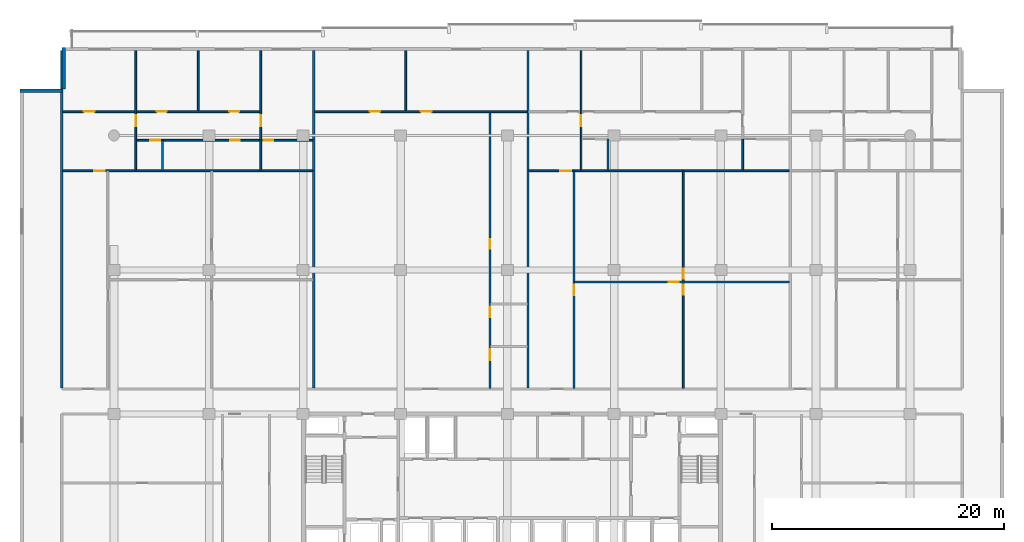
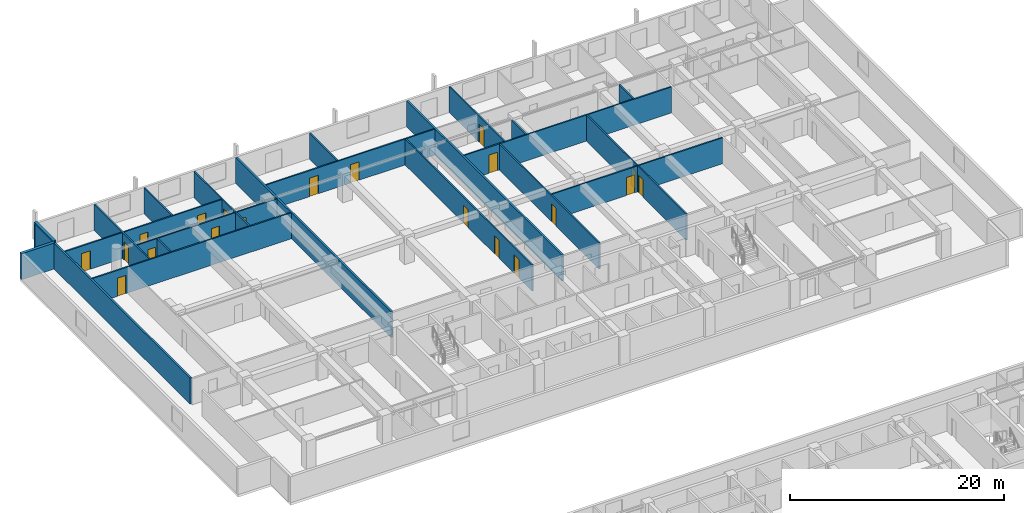
# One storey, part 14 of 23: 23 walls, 20 doors, 20 openings.
"""IFC4 building model written with IfcOpenShell, lengths in metres."""

import ifcopenshell
import ifcopenshell.guid

model = None  # the IFC model being written
_history = None  # IfcOwnerHistory: only IFC2X3 demands one
_inside = {}  # id of a spatial element -> (the spatial element, [elements in it])
_under = {}  # id of a project, library or spatial element -> (it, [spatial elements below it])
_declared = {}  # id of a project -> (the project, [libraries it declares])
_typed = {}  # id of a type object -> (the type object, [elements of that type])
_made_of = {}  # id of a material, layer set ... -> (it, [elements and type objects made of it])


def new_model(schema):
    """Start an empty IFC model of exactly this schema.

    Asked for "IFC4X3", IfcOpenShell would pick the latest addendum, in which some entities
    have other attributes; the version numbers below select the first issue.
    IFC2X3 requires an IfcOwnerHistory on every rooted entity: one is made here for all.
    """
    global model, _history
    if schema == "IFC4X3":
        model = ifcopenshell.file(schema_version=(4, 3, 0, 0))
    else:
        model = ifcopenshell.file(schema=schema)
    _inside.clear()
    _under.clear()
    _declared.clear()
    _typed.clear()
    _made_of.clear()
    _history = None
    if model.schema == "IFC2X3":
        org = make("IfcOrganization", Name="unknown")
        user = make(
            "IfcPersonAndOrganization",
            ThePerson=make("IfcPerson", FamilyName="unknown"),
            TheOrganization=org,
        )
        app = make(
            "IfcApplication",
            ApplicationDeveloper=org,
            Version="unknown",
            ApplicationFullName="unknown",
            ApplicationIdentifier="unknown",
        )
        _history = make(
            "IfcOwnerHistory",
            OwningUser=user,
            OwningApplication=app,
            ChangeAction="ADDED",
            CreationDate=0,
        )
    return model


def make(cls, **values):
    """One entity of the class cls with the attributes given. An attribute that is None is left unset."""
    return model.create_entity(
        cls, **{name: value for name, value in values.items() if value is not None}
    )


def rooted(cls, **values):
    """An entity with a GlobalId (a new one), such as an element, a storey or a relation."""
    return make(cls, GlobalId=ifcopenshell.guid.new(), OwnerHistory=_history, **values)


def si_unit(unit_type, name, prefix=None):
    """IfcSIUnit, for example si_unit("LENGTHUNIT", "METRE", prefix="MILLI")."""
    return make("IfcSIUnit", UnitType=unit_type, Prefix=prefix, Name=name)


def assignment(units):
    """IfcUnitAssignment: the units of a project."""
    return None if units is None else make("IfcUnitAssignment", Units=units)


def point(xyz):
    """IfcCartesianPoint."""
    return None if xyz is None else make("IfcCartesianPoint", Coordinates=xyz)


def direction(xyz):
    """IfcDirection."""
    return None if xyz is None else make("IfcDirection", DirectionRatios=xyz)


def frame(location, z_axis=None, x_axis=None):
    """IfcAxis2Placement3D, a coordinate frame: its origin and axes. An axis left out is left unset."""
    return make(
        "IfcAxis2Placement3D",
        Location=point(location),
        Axis=direction(z_axis),
        RefDirection=direction(x_axis),
    )


def frame_2d(location, x_axis=None):
    """IfcAxis2Placement2D, a coordinate frame in the plane: its origin and x axis."""
    return make(
        "IfcAxis2Placement2D", Location=point(location), RefDirection=direction(x_axis)
    )


def origin():
    """The frame at (0, 0, 0) with its axes left unset."""
    return frame((0.0, 0.0, 0.0))


def place(relative_to, where):
    """IfcLocalPlacement: puts the frame where relative to a parent placement (None: the world)."""
    return make(
        "IfcLocalPlacement", PlacementRelTo=relative_to, RelativePlacement=where
    )


def context(
    kind, dimensions, precision=None, world=None, true_north=None, identifier=None
):
    """IfcGeometricRepresentationContext, for example the 3D "Model" context."""
    return make(
        "IfcGeometricRepresentationContext",
        ContextIdentifier=identifier,
        ContextType=kind,
        CoordinateSpaceDimension=dimensions,
        Precision=precision,
        WorldCoordinateSystem=world,
        TrueNorth=true_north,
    )


def subcontext(parent, identifier, kind, view, scale=None):
    """IfcGeometricRepresentationSubContext, for example "Body" below "Model"."""
    return make(
        "IfcGeometricRepresentationSubContext",
        ContextIdentifier=identifier,
        ContextType=kind,
        ParentContext=parent,
        TargetScale=scale,
        TargetView=view,
    )


def project(units=None, contexts=None):
    """IfcProject with its units and contexts."""
    return rooted(
        "IfcProject",
        Name="project",
        RepresentationContexts=contexts,
        UnitsInContext=assignment(units),
    )


def spatial(cls, under=None, at=None, **own):
    """A site, building, storey or space (cls), placed at a placement, below another one or the project."""
    s = rooted(cls, ObjectPlacement=at, **own)
    if under is not None:
        _under.setdefault(under.id(), (under, []))[1].append(s)
    return s


def profile(cls, at=None, kind="AREA", **sizes):
    """A parametric profile (cls). Its sizes go by their IFC names, for example OverallWidth=200.0."""
    return make(cls, ProfileType=kind, Position=at, **sizes)


def rectangle(**sizes):
    """IfcRectangleProfileDef."""
    return profile("IfcRectangleProfileDef", **sizes)


def extrude(swept, where, along, depth):
    """IfcExtrudedAreaSolid: the profile swept, set in the frame where, extruded along a direction by depth."""
    return make(
        "IfcExtrudedAreaSolid",
        SweptArea=swept,
        Position=where,
        ExtrudedDirection=direction(along),
        Depth=depth,
    )


def shape(context_of_items, identifier, shape_type, items):
    """IfcShapeRepresentation: the items that make up one representation, for example the "Body"."""
    return make(
        "IfcShapeRepresentation",
        ContextOfItems=context_of_items,
        RepresentationIdentifier=identifier,
        RepresentationType=shape_type,
        Items=items,
    )


def material(Name=None, Category=None):
    """IfcMaterial."""
    return make("IfcMaterial", Name=Name, Category=Category)


def layer(
    of_material, thickness, ventilated=None, Name=None, Category=None, Priority=None
):
    """IfcMaterialLayer: one layer of a wall or slab, of a material (None: an air gap)."""
    return make(
        "IfcMaterialLayer",
        Material=of_material,
        LayerThickness=thickness,
        IsVentilated=ventilated,
        Name=Name,
        Category=Category,
        Priority=Priority,
    )


def layer_set(layers, Name=None):
    """IfcMaterialLayerSet."""
    return make("IfcMaterialLayerSet", MaterialLayers=layers, LayerSetName=Name)


def made_of(thing, what):
    """Note that an element or type object is made of a material, layer set ...; save() writes the relation."""
    if what is not None:
        _made_of.setdefault(what.id(), (what, []))[1].append(thing)
    return thing


def type_object(cls, material=None, **own):
    """A type object (cls), such as IfcWallType, which elements share."""
    return made_of(rooted(cls, **own), material)


def element(
    cls,
    number,
    at=None,
    inside=None,
    cuts=None,
    type_object=None,
    material=None,
    context=None,
    identifier="Body",
    shape_type=None,
    held_by="IfcProductDefinitionShape",
    body=None,
    shapes=None,
    **own,
):
    """One element of the class cls, such as IfcWall. Its Tag is "e" and its number.

    at: its placement. inside: the storey or other place that contains it. cuts: it is an
    opening in that element (IfcRelVoidsElement). A single representation is given by context,
    identifier, shape_type and body (its items); several are given by shapes. held_by: the class
    of the entity that holds the representations. save() writes the other relations.
    """
    e = rooted(cls, Tag="e%d" % number, ObjectPlacement=at, **own)
    if body is not None:
        shapes = [shape(context, identifier, shape_type, body)]
    if shapes is not None:
        e.Representation = make(held_by, Representations=shapes)
    if inside is not None:
        _inside.setdefault(inside.id(), (inside, []))[1].append(e)
    if cuts is not None:
        rooted(
            "IfcRelVoidsElement", RelatingBuildingElement=cuts, RelatedOpeningElement=e
        )
    if type_object is not None:
        _typed.setdefault(type_object.id(), (type_object, []))[1].append(e)
    return made_of(e, material)


def fill(opening, filler):
    """IfcRelFillsElement: the door or window that sits in an opening."""
    return rooted(
        "IfcRelFillsElement",
        RelatingOpeningElement=opening,
        RelatedBuildingElement=filler,
    )


def aggregate(whole, parts):
    """IfcRelAggregates: a whole, such as a stair, and the parts it consists of."""
    return rooted("IfcRelAggregates", RelatingObject=whole, RelatedObjects=parts)


def save(model, path):
    """Write the relations noted so far, then the file.

    IfcRelAggregates (storeys below a building ...), IfcRelContainedInSpatialStructure (elements
    in a storey), IfcRelDefinesByType, IfcRelAssociatesMaterial and IfcRelDeclares: one each for
    every whole, place, type object, material and project.
    """
    for whole, parts in _under.values():
        aggregate(whole, parts)
    for where, things in _inside.values():
        rooted(
            "IfcRelContainedInSpatialStructure",
            RelatedElements=things,
            RelatingStructure=where,
        )
    for kind, things in _typed.values():
        rooted("IfcRelDefinesByType", RelatedObjects=things, RelatingType=kind)
    for what, things in _made_of.values():
        rooted("IfcRelAssociatesMaterial", RelatedObjects=things, RelatingMaterial=what)
    for by, libraries in _declared.values():
        rooted("IfcRelDeclares", RelatingContext=by, RelatedDefinitions=libraries)
    model.write(path)


model = new_model("IFC4")

# Units and contexts
model_context = context("Model", 3, precision=1e-05, world=origin(), true_north=direction((0.0, 1.0)))
body_context = subcontext(model_context, "Body", "Model", "MODEL_VIEW")
ifc_project = project(units=[si_unit("LENGTHUNIT", "METRE"), si_unit("AREAUNIT", "SQUARE_METRE"), si_unit("VOLUMEUNIT", "CUBIC_METRE"), si_unit("PLANEANGLEUNIT", "RADIAN"), si_unit("MASSUNIT", "GRAM", prefix="KILO")], contexts=[model_context])

# Site, building, storey
site_placement = place(None, origin())
site = spatial("IfcSite", under=ifc_project, at=site_placement, CompositionType="ELEMENT")
building_placement = place(site_placement, origin())
building = spatial("IfcBuilding", under=site, at=building_placement, Name="Korimba Cascade Residences", CompositionType="ELEMENT")
storey_placement = place(building_placement, frame((0.0, 0.0, 56.5)))
storey = spatial("IfcBuildingStorey", under=building, at=storey_placement, Name="L15", CompositionType="ELEMENT", Elevation=56.5)

# Walls
ifc_material_1 = material(Name="Precast concrete C40/50", Category="concrete")
ifc_layer_1 = layer(ifc_material_1, 0.300048828125)
ifc_layer_set_1 = layer_set([ifc_layer_1], Name="Precast concrete C40/50")
wall_type_1 = type_object("IfcWallType", Name="EW-STONE-300", PredefinedType="STANDARD", material=ifc_layer_set_1)
for number, where, z_axis, x_axis, name in (
    (1, (55.449951171875, 98.800048828125, 0.0), (0.0, 0.0, 1.0), (0.0, -1.0, 0.0), "L15 T1 Perimeter Stone Wall E07"),
    (2, (55.300048828125, 95.050048828125, 0.0), (0.0, 0.0, 1.0), (-1.0, 0.0, 0.0), "L15 T1 Perimeter Stone Wall E08"),
):
    element("IfcWall", number, at=place(storey_placement, frame(where, z_axis=z_axis, x_axis=x_axis)), inside=storey, type_object=wall_type_1, Name=name, PredefinedType="STANDARD", context=body_context, shape_type="SweptSolid", body=[
        extrude(rectangle(XDim=3.60009765625, YDim=0.300048828125, at=frame_2d((1.800048828125, 0.0))), origin(), (0.0, 0.0, 1.0), 2.969970703125),
    ])
ifc_layer_2 = layer(ifc_material_1, 0.199951171875)
ifc_layer_set_2 = layer_set([ifc_layer_2], Name="Precast concrete C40/50")
wall_type_2 = type_object("IfcWallType", Name="WAL-IT-200", PredefinedType="PARTITIONING", material=ifc_layer_set_2)
for number, where, z_axis, x_axis, name in (
    (3, (55.300048828125, 69.429931640625, 0.0), (0.0, 0.0, 1.0), (0.0, 1.0, 0.0), "L15 Partition Wall WAL-L15-T1-BNDWL"),
    (4, (77.00341796875, 69.429931640625, 0.0), (0.0, 0.0, 1.0), (0.0, 1.0, 0.0), "L15 Partition Wall WAL-L15-T1-DEM-1"),
    (5, (95.477294921875, 69.429931640625, 0.0), (0.0, 0.0, 1.0), (0.0, 1.0, 0.0), "L15 Partition Wall WAL-L15-T1-DEM-2"),
):
    element("IfcWall", number, at=place(storey_placement, frame(where, z_axis=z_axis, x_axis=x_axis)), inside=storey, type_object=wall_type_2, Name=name, PredefinedType="PARTITIONING", context=body_context, shape_type="SweptSolid", body=[
        extrude(rectangle(XDim=29.070068359375, YDim=0.199951171875, at=frame_2d((14.53515625, 0.0))), origin(), (0.0, 0.0, 1.0), 2.969970703125),
    ])
ifc_material_2 = material(Name="Insulated Acoustic Stud Partition", Category="gypsum")
ifc_layer_3 = layer(ifc_material_2, 0.14990234375)
ifc_layer_set_3 = layer_set([ifc_layer_3], Name="Insulated Acoustic Stud Partition")
wall_type_3 = type_object("IfcWallType", Name="WAL-PART-150", PredefinedType="PARTITIONING", material=ifc_layer_set_3)
wall_1_placement = place(storey_placement, frame((63.989990234375, 88.18994140625, 0.0), z_axis=(0.0, 0.0, 1.0), x_axis=(0.0, 1.0, 0.0)))
element("IfcWall", 6, at=wall_1_placement, inside=storey, type_object=wall_type_3, Name="L15 Partition Wall WAL-L15-T1-U01-VDRS", PredefinedType="PARTITIONING", context=body_context, shape_type="SweptSolid", body=[
    extrude(rectangle(XDim=2.580078125, YDim=0.14990234375, at=frame_2d((1.2900390625, 0.0))), origin(), (0.0, 0.0, 1.0), 2.969970703125),
])
wall_2_placement = place(storey_placement, frame((67.066650390625, 93.330078125, 0.0), z_axis=(0.0, 0.0, 1.0), x_axis=(0.0, 1.0, 0.0)))
element("IfcWall", 7, at=wall_2_placement, inside=storey, type_object=wall_type_3, Name="L15 Partition Wall WAL-L15-T1-U01-VB3", PredefinedType="PARTITIONING", context=body_context, shape_type="SweptSolid", body=[
    extrude(rectangle(XDim=5.169921875, YDim=0.14990234375, at=frame_2d((2.5849609375, 0.0))), origin(), (0.0, 0.0, 1.0), 2.969970703125),
])

# Wall, opening, door
wall_3_placement = place(storey_placement, frame((61.679931640625, 88.18994140625, 0.0), z_axis=(0.0, 0.0, 1.0), x_axis=(0.0, 1.0, 0.0)))
wall_3 = element("IfcWall", 8, at=wall_3_placement, inside=storey, type_object=wall_type_3, Name="L15 Partition Wall WAL-L15-T1-U01-V1", PredefinedType="PARTITIONING", context=body_context, shape_type="SweptSolid", body=[
    extrude(rectangle(XDim=10.31005859375, YDim=0.14990234375, at=frame_2d((5.155029296875, 0.0))), origin(), (0.0, 0.0, 1.0), 2.969970703125),
])
opening_1_placement = place(wall_3_placement, frame((3.820068359375, 0.0, 0.0)))
opening_1 = element("IfcOpeningElement", 9, at=opening_1_placement, cuts=wall_3, Name="Opening D-IN1", PredefinedType="OPENING", context=body_context, shape_type="SweptSolid", body=[
    extrude(rectangle(XDim=0.919921875, YDim=2.080078125, at=frame_2d((0.4599609375, 1.0400390625))), frame((0.0, 0.0849609375, 0.0), z_axis=(0.0, -1.0, 0.0), x_axis=(1.0, 0.0, 0.0)), (0.0, 0.0, 1.0), 0.169921875),
])
ifc_material_3 = material(Name="Acoustic Timber Living Door", Category="wood")
door_type_1 = type_object("IfcDoorType", Name="DR-INT-920", OperationType="NOTDEFINED", PredefinedType="DOOR", material=ifc_material_3)
door_1_placement = place(opening_1_placement, origin())
door_1 = element("IfcDoor", 10, at=door_1_placement, inside=storey, type_object=door_type_1, Name="L15-T1-U01 Hallway Door", OperationType="SINGLE_SWING_RIGHT", OverallHeight=2.080078125, OverallWidth=0.919921875, PredefinedType="DOOR", context=body_context, shape_type="SweptSolid", body=[
    extrude(rectangle(XDim=0.919921875, YDim=2.080078125, at=frame_2d((0.4599609375, 1.0400390625))), frame((0.0, 0.02490234375, 0.0), z_axis=(0.0, -1.0, 0.0), x_axis=(1.0, 0.0, 0.0)), (0.0, 0.0, 1.0), 0.050048828125),
])
fill(opening_1, door_1)

# Wall
wall_4_placement = place(storey_placement, frame((72.45361328125, 88.18994140625, 0.0), z_axis=(0.0, 0.0, 1.0), x_axis=(0.0, 1.0, 0.0)))
element("IfcWall", 11, at=wall_4_placement, inside=storey, type_object=wall_type_3, Name="L15 Partition Wall WAL-L15-T1-U01-VBATH", PredefinedType="PARTITIONING", context=body_context, shape_type="SweptSolid", body=[
    extrude(rectangle(XDim=2.580078125, YDim=0.14990234375, at=frame_2d((1.2900390625, 0.0))), origin(), (0.0, 0.0, 1.0), 2.969970703125),
])

# Wall, opening, door
wall_5_placement = place(storey_placement, frame((72.45361328125, 90.81005859375, 0.0), z_axis=(0.0, 0.0, 1.0), x_axis=(0.0, 1.0, 0.0)))
wall_5 = element("IfcWall", 12, at=wall_5_placement, inside=storey, type_object=wall_type_3, Name="L15 Partition Wall WAL-L15-T1-U01-V2FULL", PredefinedType="PARTITIONING", context=body_context, shape_type="SweptSolid", body=[
    extrude(rectangle(XDim=7.68994140625, YDim=0.14990234375, at=frame_2d((3.844970703125, 0.0))), origin(), (0.0, 0.0, 1.0), 2.969970703125),
])
opening_2_placement = place(wall_5_placement, frame((1.199951171875, 0.0, 0.0)))
opening_2 = element("IfcOpeningElement", 13, at=opening_2_placement, cuts=wall_5, Name="Opening D-IN1", PredefinedType="OPENING", context=body_context, shape_type="SweptSolid", body=[
    extrude(rectangle(XDim=0.919921875, YDim=2.080078125, at=frame_2d((0.4599609375, 1.0400390625))), frame((0.0, 0.0849609375, 0.0), z_axis=(0.0, -1.0, 0.0), x_axis=(1.0, 0.0, 0.0)), (0.0, 0.0, 1.0), 0.169921875),
])
door_2_placement = place(opening_2_placement, origin())
door_2 = element("IfcDoor", 14, at=door_2_placement, inside=storey, type_object=door_type_1, Name="L15-T1-U01 Master Bedroom Door", OperationType="SINGLE_SWING_LEFT", OverallHeight=2.080078125, OverallWidth=0.919921875, PredefinedType="DOOR", context=body_context, shape_type="SweptSolid", body=[
    extrude(rectangle(XDim=0.919921875, YDim=2.080078125, at=frame_2d((0.4599609375, 1.0400390625))), frame((0.0, 0.02490234375, 0.0), z_axis=(0.0, -1.0, 0.0), x_axis=(1.0, 0.0, 0.0)), (0.0, 0.0, 1.0), 0.050048828125),
])
fill(opening_2, door_2)

# Wall, openings, doors
wall_6_placement = place(storey_placement, frame((61.719970703125, 90.7900390625, 0.0), z_axis=(0.0, 0.0, 1.0), x_axis=(1.0, 0.0, 0.0)))
wall_6 = element("IfcWall", 15, at=wall_6_placement, inside=storey, type_object=wall_type_3, Name="L15 Partition Wall WAL-L15-T1-U01-HWALL", PredefinedType="PARTITIONING", context=body_context, shape_type="SweptSolid", body=[
    extrude(rectangle(XDim=15.20361328125, YDim=0.14990234375, at=frame_2d((7.601806640625, 0.0))), origin(), (0.0, 0.0, 1.0), 2.969970703125),
])
opening_3_placement = place(wall_6_placement, frame((1.2099609375, 0.0, 0.0)))
opening_3 = element("IfcOpeningElement", 16, at=opening_3_placement, cuts=wall_6, Name="Opening D-BT1", PredefinedType="OPENING", context=body_context, shape_type="SweptSolid", body=[
    extrude(rectangle(XDim=0.840087890625, YDim=2.0400390625, at=frame_2d((0.419921875, 1.02001953125))), frame((0.0, 0.0849609375, 0.0), z_axis=(0.0, -1.0, 0.0), x_axis=(1.0, 0.0, 0.0)), (0.0, 0.0, 1.0), 0.169921875),
])
opening_4_placement = place(wall_6_placement, frame((8.093017578125, 0.0, 0.0)))
opening_4 = element("IfcOpeningElement", 17, at=opening_4_placement, cuts=wall_6, Name="Opening D-BT1", PredefinedType="OPENING", context=body_context, shape_type="SweptSolid", body=[
    extrude(rectangle(XDim=0.840087890625, YDim=2.0400390625, at=frame_2d((0.419921875, 1.02001953125))), frame((0.0, 0.0849609375, 0.0), z_axis=(0.0, -1.0, 0.0), x_axis=(1.0, 0.0, 0.0)), (0.0, 0.0, 1.0), 0.169921875),
])
opening_5_placement = place(wall_6_placement, frame((10.9833984375, 0.0, 0.0)))
opening_5 = element("IfcOpeningElement", 18, at=opening_5_placement, cuts=wall_6, Name="Opening D-BT1", PredefinedType="OPENING", context=body_context, shape_type="SweptSolid", body=[
    extrude(rectangle(XDim=0.840087890625, YDim=2.0400390625, at=frame_2d((0.419921875, 1.02001953125))), frame((0.0, 0.0849609375, 0.0), z_axis=(0.0, -1.0, 0.0), x_axis=(1.0, 0.0, 0.0)), (0.0, 0.0, 1.0), 0.169921875),
])
ifc_material_4 = material(Name="Moisture-Resistant Bathroom Timber Door", Category="wood")
door_type_2 = type_object("IfcDoorType", Name="DR-INT-850", OperationType="NOTDEFINED", PredefinedType="DOOR", material=ifc_material_4)
door_3_placement = place(opening_3_placement, origin())
door_3 = element("IfcDoor", 19, at=door_3_placement, inside=storey, type_object=door_type_2, Name="L15-T1-U01 Family Bathroom Door", OperationType="SINGLE_SWING_RIGHT", OverallHeight=2.0400390625, OverallWidth=0.840087890625, PredefinedType="DOOR", context=body_context, shape_type="SweptSolid", body=[
    extrude(rectangle(XDim=0.840087890625, YDim=2.0400390625, at=frame_2d((0.419921875, 1.02001953125))), frame((0.0, 0.02490234375, 0.0), z_axis=(0.0, -1.0, 0.0), x_axis=(1.0, 0.0, 0.0)), (0.0, 0.0, 1.0), 0.050048828125),
])
fill(opening_3, door_3)
door_4_placement = place(opening_4_placement, origin())
door_4 = element("IfcDoor", 20, at=door_4_placement, inside=storey, type_object=door_type_2, Name="L15-T1-U01 Dressing Room Door", OperationType="SINGLE_SWING_LEFT", OverallHeight=2.0400390625, OverallWidth=0.840087890625, PredefinedType="DOOR", context=body_context, shape_type="SweptSolid", body=[
    extrude(rectangle(XDim=0.840087890625, YDim=2.0400390625, at=frame_2d((0.419921875, 1.02001953125))), frame((0.0, 0.02490234375, 0.0), z_axis=(0.0, -1.0, 0.0), x_axis=(1.0, 0.0, 0.0)), (0.0, 0.0, 1.0), 0.050048828125),
])
fill(opening_4, door_4)
door_5_placement = place(opening_5_placement, origin())
door_5 = element("IfcDoor", 21, at=door_5_placement, inside=storey, type_object=door_type_2, Name="L15-T1-U01 En-Suite Door", OperationType="SINGLE_SWING_RIGHT", OverallHeight=2.0400390625, OverallWidth=0.840087890625, PredefinedType="DOOR", context=body_context, shape_type="SweptSolid", body=[
    extrude(rectangle(XDim=0.840087890625, YDim=2.0400390625, at=frame_2d((0.419921875, 1.02001953125))), frame((0.0, 0.02490234375, 0.0), z_axis=(0.0, -1.0, 0.0), x_axis=(1.0, 0.0, 0.0)), (0.0, 0.0, 1.0), 0.050048828125),
])
fill(opening_5, door_5)

# Wall, opening, door
wall_7_placement = place(storey_placement, frame((55.3798828125, 88.14990234375, 0.0), z_axis=(0.0, 0.0, 1.0), x_axis=(1.0, 0.0, 0.0)))
wall_7 = element("IfcWall", 22, at=wall_7_placement, inside=storey, type_object=wall_type_3, Name="L15 Partition Wall WAL-L15-T1-U01-MW", PredefinedType="PARTITIONING", context=body_context, shape_type="SweptSolid", body=[
    extrude(rectangle(XDim=21.543701171875, YDim=0.14990234375, at=frame_2d((10.77197265625, 0.0))), origin(), (0.0, 0.0, 1.0), 2.969970703125),
])
opening_6_placement = place(wall_7_placement, frame((2.719970703125, 0.0, 0.0)))
opening_6 = element("IfcOpeningElement", 23, at=opening_6_placement, cuts=wall_7, Name="Opening D-IN1", PredefinedType="OPENING", context=body_context, shape_type="SweptSolid", body=[
    extrude(rectangle(XDim=0.919921875, YDim=2.080078125, at=frame_2d((0.4599609375, 1.0400390625))), frame((0.0, 0.0849609375, 0.0), z_axis=(0.0, -1.0, 0.0), x_axis=(1.0, 0.0, 0.0)), (0.0, 0.0, 1.0), 0.169921875),
])
door_6_placement = place(opening_6_placement, origin())
door_6 = element("IfcDoor", 24, at=door_6_placement, inside=storey, type_object=door_type_1, Name="L15-T1-U01 Kitchen Door", OperationType="SINGLE_SWING_LEFT", OverallHeight=2.080078125, OverallWidth=0.919921875, PredefinedType="DOOR", context=body_context, shape_type="SweptSolid", body=[
    extrude(rectangle(XDim=0.919921875, YDim=2.080078125, at=frame_2d((0.4599609375, 1.0400390625))), frame((0.0, 0.02490234375, 0.0), z_axis=(0.0, -1.0, 0.0), x_axis=(1.0, 0.0, 0.0)), (0.0, 0.0, 1.0), 0.050048828125),
])
fill(opening_6, door_6)

# Wall, openings, doors
wall_8_placement = place(storey_placement, frame((55.3798828125, 93.25, 0.0), z_axis=(0.0, 0.0, 1.0), x_axis=(1.0, 0.0, 0.0)))
wall_8 = element("IfcWall", 25, at=wall_8_placement, inside=storey, type_object=wall_type_3, Name="L15 Partition Wall WAL-L15-T1-U01-HZ", PredefinedType="PARTITIONING", context=body_context, shape_type="SweptSolid", body=[
    extrude(rectangle(XDim=17.07373046875, YDim=0.14990234375, at=frame_2d((8.536865234375, 0.0))), origin(), (0.0, 0.0, 1.0), 2.969970703125),
])
opening_7_placement = place(wall_8_placement, frame((1.80517578125, 0.0, 0.0)))
opening_7 = element("IfcOpeningElement", 26, at=opening_7_placement, cuts=wall_8, Name="Opening D-IN0", PredefinedType="OPENING", context=body_context, shape_type="SweptSolid", body=[
    extrude(rectangle(XDim=0.93994140625, YDim=2.10009765625, at=frame_2d((0.469970703125, 1.050048828125))), frame((0.0, 0.0849609375, 0.0), z_axis=(0.0, -1.0, 0.0), x_axis=(1.0, 0.0, 0.0)), (0.0, 0.0, 1.0), 0.169921875),
])
opening_8_placement = place(wall_8_placement, frame((8.0966796875, 0.0, 0.0)))
opening_8 = element("IfcOpeningElement", 27, at=opening_8_placement, cuts=wall_8, Name="Opening D-IN2", PredefinedType="OPENING", context=body_context, shape_type="SweptSolid", body=[
    extrude(rectangle(XDim=0.8798828125, YDim=2.06005859375, at=frame_2d((0.43994140625, 1.030029296875))), frame((0.0, 0.0849609375, 0.0), z_axis=(0.0, -1.0, 0.0), x_axis=(1.0, 0.0, 0.0)), (0.0, 0.0, 1.0), 0.169921875),
])
opening_9_placement = place(wall_8_placement, frame((14.3466796875, 0.0, 0.0)))
opening_9 = element("IfcOpeningElement", 28, at=opening_9_placement, cuts=wall_8, Name="Opening D-IN2", PredefinedType="OPENING", context=body_context, shape_type="SweptSolid", body=[
    extrude(rectangle(XDim=0.8798828125, YDim=2.06005859375, at=frame_2d((0.43994140625, 1.030029296875))), frame((0.0, 0.0849609375, 0.0), z_axis=(0.0, -1.0, 0.0), x_axis=(1.0, 0.0, 0.0)), (0.0, 0.0, 1.0), 0.169921875),
])
ifc_material_5 = material(Name="Acoustic Timber Bedroom Door", Category="wood")
door_type_3 = type_object("IfcDoorType", Name="DR-INT-880", OperationType="NOTDEFINED", PredefinedType="DOOR", material=ifc_material_5)
door_7_placement = place(opening_8_placement, origin())
door_7 = element("IfcDoor", 29, at=door_7_placement, inside=storey, type_object=door_type_3, Name="L15-T1-U01 Bedroom 2 Door", OperationType="SINGLE_SWING_LEFT", OverallHeight=2.06005859375, OverallWidth=0.8798828125, PredefinedType="DOOR", context=body_context, shape_type="SweptSolid", body=[
    extrude(rectangle(XDim=0.8798828125, YDim=2.06005859375, at=frame_2d((0.43994140625, 1.030029296875))), frame((0.0, 0.02490234375, 0.0), z_axis=(0.0, -1.0, 0.0), x_axis=(1.0, 0.0, 0.0)), (0.0, 0.0, 1.0), 0.050048828125),
])
fill(opening_8, door_7)
door_8_placement = place(opening_9_placement, origin())
door_8 = element("IfcDoor", 30, at=door_8_placement, inside=storey, type_object=door_type_3, Name="L15-T1-U01 Bedroom 3 Door", OperationType="SINGLE_SWING_RIGHT", OverallHeight=2.06005859375, OverallWidth=0.8798828125, PredefinedType="DOOR", context=body_context, shape_type="SweptSolid", body=[
    extrude(rectangle(XDim=0.8798828125, YDim=2.06005859375, at=frame_2d((0.43994140625, 1.030029296875))), frame((0.0, 0.02490234375, 0.0), z_axis=(0.0, -1.0, 0.0), x_axis=(1.0, 0.0, 0.0)), (0.0, 0.0, 1.0), 0.050048828125),
])
fill(opening_9, door_8)
ifc_material_6 = material(Name="Acoustic Timber Living Archway Door", Category="wood")
door_type_4 = type_object("IfcDoorType", Name="DR-INT-950", OperationType="NOTDEFINED", PredefinedType="DOOR", material=ifc_material_6)
door_9_placement = place(opening_7_placement, origin())
door_9 = element("IfcDoor", 31, at=door_9_placement, inside=storey, type_object=door_type_4, Name="L15-T1-U01 Living Room Door", OperationType="SINGLE_SWING_RIGHT", OverallHeight=2.10009765625, OverallWidth=0.93994140625, PredefinedType="DOOR", context=body_context, shape_type="SweptSolid", body=[
    extrude(rectangle(XDim=0.93994140625, YDim=2.10009765625, at=frame_2d((0.469970703125, 1.050048828125))), frame((0.0, 0.02490234375, 0.0), z_axis=(0.0, -1.0, 0.0), x_axis=(1.0, 0.0, 0.0)), (0.0, 0.0, 1.0), 0.050048828125),
])
fill(opening_7, door_9)

wall_9_placement = place(storey_placement, frame((92.207275390625, 69.409912109375, 0.0), z_axis=(0.0, 0.0, 1.0), x_axis=(0.0, 1.0, 0.0)))
wall_9 = element("IfcWall", 32, at=wall_9_placement, inside=storey, type_object=wall_type_3, Name="L15 Partition Wall WAL-L15-T1-U02-WCV", PredefinedType="PARTITIONING", context=body_context, shape_type="SweptSolid", body=[
    extrude(rectangle(XDim=23.780029296875, YDim=0.14990234375, at=frame_2d((11.89013671875, 0.0))), origin(), (0.0, 0.0, 1.0), 2.969970703125),
])
opening_10_placement = place(wall_9_placement, frame((2.406005859375, 0.0, 0.0)))
opening_10 = element("IfcOpeningElement", 33, at=opening_10_placement, cuts=wall_9, Name="Opening D-AC1", PredefinedType="OPENING", context=body_context, shape_type="SweptSolid", body=[
    extrude(rectangle(XDim=0.9599609375, YDim=2.10009765625, at=frame_2d((0.47998046875, 1.050048828125))), frame((0.0, 0.0849609375, 0.0), z_axis=(0.0, -1.0, 0.0), x_axis=(1.0, 0.0, 0.0)), (0.0, 0.0, 1.0), 0.169921875),
])
opening_11_placement = place(wall_9_placement, frame((6.132568359375, 0.0, 0.0)))
opening_11 = element("IfcOpeningElement", 34, at=opening_11_placement, cuts=wall_9, Name="Opening D-IN2", PredefinedType="OPENING", context=body_context, shape_type="SweptSolid", body=[
    extrude(rectangle(XDim=0.8798828125, YDim=2.06005859375, at=frame_2d((0.43994140625, 1.030029296875))), frame((0.0, 0.0849609375, 0.0), z_axis=(0.0, -1.0, 0.0), x_axis=(1.0, 0.0, 0.0)), (0.0, 0.0, 1.0), 0.169921875),
])
opening_12_placement = place(wall_9_placement, frame((12.02587890625, 0.0, 0.0)))
opening_12 = element("IfcOpeningElement", 35, at=opening_12_placement, cuts=wall_9, Name="Opening D-BT1", PredefinedType="OPENING", context=body_context, shape_type="SweptSolid", body=[
    extrude(rectangle(XDim=0.840087890625, YDim=2.0400390625, at=frame_2d((0.419921875, 1.02001953125))), frame((0.0, 0.0849609375, 0.0), z_axis=(0.0, -1.0, 0.0), x_axis=(1.0, 0.0, 0.0)), (0.0, 0.0, 1.0), 0.169921875),
])
ifc_material_7 = material(Name="Accessible Acoustic Timber WC Door", Category="wood")
door_type_5 = type_object("IfcDoorType", Name="DR-ACC-950", OperationType="NOTDEFINED", PredefinedType="DOOR", material=ifc_material_7)
door_10_placement = place(opening_10_placement, origin())
door_10 = element("IfcDoor", 36, at=door_10_placement, inside=storey, type_object=door_type_5, Name="L15-T1-U02 Accessible WC Door", OperationType="SINGLE_SWING_LEFT", OverallHeight=2.10009765625, OverallWidth=0.9599609375, PredefinedType="DOOR", context=body_context, shape_type="SweptSolid", body=[
    extrude(rectangle(XDim=0.9599609375, YDim=2.10009765625, at=frame_2d((0.47998046875, 1.050048828125))), frame((0.0, 0.02490234375, 0.0), z_axis=(0.0, -1.0, 0.0), x_axis=(1.0, 0.0, 0.0)), (0.0, 0.0, 1.0), 0.050048828125),
])
fill(opening_10, door_10)
door_11_placement = place(opening_12_placement, origin())
door_11 = element("IfcDoor", 37, at=door_11_placement, inside=storey, type_object=door_type_2, Name="L15-T1-U02 Suite Store Door", OperationType="SINGLE_SWING_LEFT", OverallHeight=2.0400390625, OverallWidth=0.840087890625, PredefinedType="DOOR", context=body_context, shape_type="SweptSolid", body=[
    extrude(rectangle(XDim=0.840087890625, YDim=2.0400390625, at=frame_2d((0.419921875, 1.02001953125))), frame((0.0, 0.02490234375, 0.0), z_axis=(0.0, -1.0, 0.0), x_axis=(1.0, 0.0, 0.0)), (0.0, 0.0, 1.0), 0.050048828125),
])
fill(opening_12, door_11)
door_12_placement = place(opening_11_placement, origin())
door_12 = element("IfcDoor", 38, at=door_12_placement, inside=storey, type_object=door_type_3, Name="L15-T1-U02 Restroom WC Door", OperationType="SINGLE_SWING_RIGHT", OverallHeight=2.06005859375, OverallWidth=0.8798828125, PredefinedType="DOOR", context=body_context, shape_type="SweptSolid", body=[
    extrude(rectangle(XDim=0.8798828125, YDim=2.06005859375, at=frame_2d((0.43994140625, 1.030029296875))), frame((0.0, 0.02490234375, 0.0), z_axis=(0.0, -1.0, 0.0), x_axis=(1.0, 0.0, 0.0)), (0.0, 0.0, 1.0), 0.050048828125),
])
fill(opening_11, door_12)

# Wall
wall_10_placement = place(storey_placement, frame((84.935302734375, 93.330078125, 0.0), z_axis=(0.0, 0.0, 1.0), x_axis=(0.0, 1.0, 0.0)))
element("IfcWall", 39, at=wall_10_placement, inside=storey, type_object=wall_type_3, Name="L15 Partition Wall WAL-L15-T1-U02-OUTV", PredefinedType="PARTITIONING", context=body_context, shape_type="SweptSolid", body=[
    extrude(rectangle(XDim=5.169921875, YDim=0.14990234375, at=frame_2d((2.5849609375, 0.0))), origin(), (0.0, 0.0, 1.0), 2.969970703125),
])

# Wall, openings, doors
wall_11_placement = place(storey_placement, frame((77.08349609375, 93.25, 0.0), z_axis=(0.0, 0.0, 1.0), x_axis=(1.0, 0.0, 0.0)))
wall_11 = element("IfcWall", 40, at=wall_11_placement, inside=storey, type_object=wall_type_3, Name="L15 Partition Wall WAL-L15-T1-U02-HZ", PredefinedType="PARTITIONING", context=body_context, shape_type="SweptSolid", body=[
    extrude(rectangle(XDim=18.313720703125, YDim=0.14990234375, at=frame_2d((9.15673828125, 0.0))), origin(), (0.0, 0.0, 1.0), 2.969970703125),
])
opening_13_placement = place(wall_11_placement, frame((4.73828125, 0.0, 0.0)))
opening_13 = element("IfcOpeningElement", 41, at=opening_13_placement, cuts=wall_11, Name="Opening D-IN0", PredefinedType="OPENING", context=body_context, shape_type="SweptSolid", body=[
    extrude(rectangle(XDim=0.93994140625, YDim=2.10009765625, at=frame_2d((0.469970703125, 1.050048828125))), frame((0.0, 0.0849609375, 0.0), z_axis=(0.0, -1.0, 0.0), x_axis=(1.0, 0.0, 0.0)), (0.0, 0.0, 1.0), 0.169921875),
])
opening_14_placement = place(wall_11_placement, frame((9.151611328125, 0.0, 0.0)))
opening_14 = element("IfcOpeningElement", 42, at=opening_14_placement, cuts=wall_11, Name="Opening D-IN0", PredefinedType="OPENING", context=body_context, shape_type="SweptSolid", body=[
    extrude(rectangle(XDim=0.93994140625, YDim=2.10009765625, at=frame_2d((0.469970703125, 1.050048828125))), frame((0.0, 0.0849609375, 0.0), z_axis=(0.0, -1.0, 0.0), x_axis=(1.0, 0.0, 0.0)), (0.0, 0.0, 1.0), 0.169921875),
])
door_13_placement = place(opening_13_placement, origin())
door_13 = element("IfcDoor", 43, at=door_13_placement, inside=storey, type_object=door_type_4, Name="L15-T1-U02 Fitness Pilates Gym Door", OperationType="SINGLE_SWING_RIGHT", OverallHeight=2.10009765625, OverallWidth=0.93994140625, PredefinedType="DOOR", context=body_context, shape_type="SweptSolid", body=[
    extrude(rectangle(XDim=0.93994140625, YDim=2.10009765625, at=frame_2d((0.469970703125, 1.050048828125))), frame((0.0, 0.02490234375, 0.0), z_axis=(0.0, -1.0, 0.0), x_axis=(1.0, 0.0, 0.0)), (0.0, 0.0, 1.0), 0.050048828125),
])
fill(opening_13, door_13)
door_14_placement = place(opening_14_placement, origin())
door_14 = element("IfcDoor", 44, at=door_14_placement, inside=storey, type_object=door_type_4, Name="L15-T1-U02 Private Screening Cinema Door", OperationType="SINGLE_SWING_LEFT", OverallHeight=2.10009765625, OverallWidth=0.93994140625, PredefinedType="DOOR", context=body_context, shape_type="SweptSolid", body=[
    extrude(rectangle(XDim=0.93994140625, YDim=2.10009765625, at=frame_2d((0.469970703125, 1.050048828125))), frame((0.0, 0.02490234375, 0.0), z_axis=(0.0, -1.0, 0.0), x_axis=(1.0, 0.0, 0.0)), (0.0, 0.0, 1.0), 0.050048828125),
])
fill(opening_14, door_14)

wall_12_placement = place(storey_placement, frame((108.855224609375, 69.409912109375, 0.0), z_axis=(0.0, 0.0, 1.0), x_axis=(0.0, 1.0, 0.0)))
wall_12 = element("IfcWall", 45, at=wall_12_placement, inside=storey, type_object=wall_type_3, Name="L15 Partition Wall WAL-L15-T1-U03-FMV", PredefinedType="PARTITIONING", context=body_context, shape_type="SweptSolid", body=[
    extrude(rectangle(XDim=18.7001953125, YDim=0.14990234375, at=frame_2d((9.35009765625, 0.0))), origin(), (0.0, 0.0, 1.0), 2.969970703125),
])
opening_15_placement = place(wall_12_placement, frame((8.080078125, 0.0, 0.0)))
opening_15 = element("IfcOpeningElement", 46, at=opening_15_placement, cuts=wall_12, Name="Opening D-BT1", PredefinedType="OPENING", context=body_context, shape_type="SweptSolid", body=[
    extrude(rectangle(XDim=0.840087890625, YDim=2.0400390625, at=frame_2d((0.419921875, 1.02001953125))), frame((0.0, 0.0849609375, 0.0), z_axis=(0.0, -1.0, 0.0), x_axis=(1.0, 0.0, 0.0)), (0.0, 0.0, 1.0), 0.169921875),
])
opening_16_placement = place(wall_12_placement, frame((9.419921875, 0.0, 0.0)))
opening_16 = element("IfcOpeningElement", 47, at=opening_16_placement, cuts=wall_12, Name="Opening D-IN2", PredefinedType="OPENING", context=body_context, shape_type="SweptSolid", body=[
    extrude(rectangle(XDim=0.8798828125, YDim=2.06005859375, at=frame_2d((0.43994140625, 1.030029296875))), frame((0.0, 0.0849609375, 0.0), z_axis=(0.0, -1.0, 0.0), x_axis=(1.0, 0.0, 0.0)), (0.0, 0.0, 1.0), 0.169921875),
])
door_15_placement = place(opening_15_placement, origin())
door_15 = element("IfcDoor", 48, at=door_15_placement, inside=storey, type_object=door_type_2, Name="L15-T1-U03 Wardrobe Door", OperationType="SINGLE_SWING_RIGHT", OverallHeight=2.0400390625, OverallWidth=0.840087890625, PredefinedType="DOOR", context=body_context, shape_type="SweptSolid", body=[
    extrude(rectangle(XDim=0.840087890625, YDim=2.0400390625, at=frame_2d((0.419921875, 1.02001953125))), frame((0.0, 0.02490234375, 0.0), z_axis=(0.0, -1.0, 0.0), x_axis=(1.0, 0.0, 0.0)), (0.0, 0.0, 1.0), 0.050048828125),
])
fill(opening_15, door_15)
door_16_placement = place(opening_16_placement, origin())
door_16 = element("IfcDoor", 49, at=door_16_placement, inside=storey, type_object=door_type_3, Name="L15-T1-U03 Music Lounge Door", OperationType="SINGLE_SWING_LEFT", OverallHeight=2.06005859375, OverallWidth=0.8798828125, PredefinedType="DOOR", context=body_context, shape_type="SweptSolid", body=[
    extrude(rectangle(XDim=0.8798828125, YDim=2.06005859375, at=frame_2d((0.43994140625, 1.030029296875))), frame((0.0, 0.02490234375, 0.0), z_axis=(0.0, -1.0, 0.0), x_axis=(1.0, 0.0, 0.0)), (0.0, 0.0, 1.0), 0.050048828125),
])
fill(opening_16, door_16)

# Wall, opening, door
wall_13_placement = place(storey_placement, frame((99.50732421875, 78.580078125, 0.0), z_axis=(0.0, 0.0, 1.0), x_axis=(1.0, 0.0, 0.0)))
wall_13 = element("IfcWall", 50, at=wall_13_placement, inside=storey, type_object=wall_type_3, Name="L15 Partition Wall WAL-L15-T1-U03-FMH", PredefinedType="PARTITIONING", context=body_context, shape_type="SweptSolid", body=[
    extrude(rectangle(XDim=18.495849609375, YDim=0.14990234375, at=frame_2d((9.248046875, 0.0))), origin(), (0.0, 0.0, 1.0), 2.969970703125),
])
opening_17_placement = place(wall_13_placement, frame((8.08984375, 0.0, 0.0)))
opening_17 = element("IfcOpeningElement", 51, at=opening_17_placement, cuts=wall_13, Name="Opening D-IN2", PredefinedType="OPENING", context=body_context, shape_type="SweptSolid", body=[
    extrude(rectangle(XDim=0.8798828125, YDim=2.06005859375, at=frame_2d((0.43994140625, 1.030029296875))), frame((0.0, 0.0849609375, 0.0), z_axis=(0.0, -1.0, 0.0), x_axis=(1.0, 0.0, 0.0)), (0.0, 0.0, 1.0), 0.169921875),
])
door_17_placement = place(opening_17_placement, origin())
door_17 = element("IfcDoor", 52, at=door_17_placement, inside=storey, type_object=door_type_3, Name="L15-T1-U03 Library Salon Door", OperationType="SINGLE_SWING_RIGHT", OverallHeight=2.06005859375, OverallWidth=0.8798828125, PredefinedType="DOOR", context=body_context, shape_type="SweptSolid", body=[
    extrude(rectangle(XDim=0.8798828125, YDim=2.06005859375, at=frame_2d((0.43994140625, 1.030029296875))), frame((0.0, 0.02490234375, 0.0), z_axis=(0.0, -1.0, 0.0), x_axis=(1.0, 0.0, 0.0)), (0.0, 0.0, 1.0), 0.050048828125),
])
fill(opening_17, door_17)

wall_14_placement = place(storey_placement, frame((99.447265625, 69.409912109375, 0.0), z_axis=(0.0, 0.0, 1.0), x_axis=(0.0, 1.0, 0.0)))
wall_14 = element("IfcWall", 53, at=wall_14_placement, inside=storey, type_object=wall_type_3, Name="L15 Partition Wall WAL-L15-T1-U03-FV", PredefinedType="PARTITIONING", context=body_context, shape_type="SweptSolid", body=[
    extrude(rectangle(XDim=18.7001953125, YDim=0.14990234375, at=frame_2d((9.35009765625, 0.0))), origin(), (0.0, 0.0, 1.0), 2.969970703125),
])
opening_18_placement = place(wall_14_placement, frame((8.0400390625, 0.0, 0.0)))
opening_18 = element("IfcOpeningElement", 54, at=opening_18_placement, cuts=wall_14, Name="Opening D-IN2", PredefinedType="OPENING", context=body_context, shape_type="SweptSolid", body=[
    extrude(rectangle(XDim=0.8798828125, YDim=2.06005859375, at=frame_2d((0.43994140625, 1.030029296875))), frame((0.0, 0.0849609375, 0.0), z_axis=(0.0, -1.0, 0.0), x_axis=(1.0, 0.0, 0.0)), (0.0, 0.0, 1.0), 0.169921875),
])
door_18_placement = place(opening_18_placement, origin())
door_18 = element("IfcDoor", 55, at=door_18_placement, inside=storey, type_object=door_type_3, Name="L15-T1-U03 Media Lounge Door", OperationType="SINGLE_SWING_LEFT", OverallHeight=2.06005859375, OverallWidth=0.8798828125, PredefinedType="DOOR", context=body_context, shape_type="SweptSolid", body=[
    extrude(rectangle(XDim=0.8798828125, YDim=2.06005859375, at=frame_2d((0.43994140625, 1.030029296875))), frame((0.0, 0.02490234375, 0.0), z_axis=(0.0, -1.0, 0.0), x_axis=(1.0, 0.0, 0.0)), (0.0, 0.0, 1.0), 0.050048828125),
])
fill(opening_18, door_18)

# Wall
wall_15_placement = place(storey_placement, frame((102.3671875, 88.18994140625, 0.0), z_axis=(0.0, 0.0, 1.0), x_axis=(0.0, 1.0, 0.0)))
element("IfcWall", 56, at=wall_15_placement, inside=storey, type_object=wall_type_3, Name="L15 Partition Wall WAL-L15-T1-U03-VDRS", PredefinedType="PARTITIONING", context=body_context, shape_type="SweptSolid", body=[
    extrude(rectangle(XDim=2.68994140625, YDim=0.14990234375, at=frame_2d((1.344970703125, 0.0))), origin(), (0.0, 0.0, 1.0), 2.969970703125),
])

# Wall, opening, door
wall_16_placement = place(storey_placement, frame((100.057373046875, 88.18994140625, 0.0), z_axis=(0.0, 0.0, 1.0), x_axis=(0.0, 1.0, 0.0)))
wall_16 = element("IfcWall", 57, at=wall_16_placement, inside=storey, type_object=wall_type_3, Name="L15 Partition Wall WAL-L15-T1-U03-V1", PredefinedType="PARTITIONING", context=body_context, shape_type="SweptSolid", body=[
    extrude(rectangle(XDim=10.31005859375, YDim=0.14990234375, at=frame_2d((5.155029296875, 0.0))), origin(), (0.0, 0.0, 1.0), 2.969970703125),
])
opening_19_placement = place(wall_16_placement, frame((3.820068359375, 0.0, 0.0)))
opening_19 = element("IfcOpeningElement", 58, at=opening_19_placement, cuts=wall_16, Name="Opening D-IN1", PredefinedType="OPENING", context=body_context, shape_type="SweptSolid", body=[
    extrude(rectangle(XDim=0.919921875, YDim=2.080078125, at=frame_2d((0.4599609375, 1.0400390625))), frame((0.0, 0.0849609375, 0.0), z_axis=(0.0, -1.0, 0.0), x_axis=(1.0, 0.0, 0.0)), (0.0, 0.0, 1.0), 0.169921875),
])
door_19_placement = place(opening_19_placement, origin())
door_19 = element("IfcDoor", 59, at=door_19_placement, inside=storey, type_object=door_type_1, Name="L15-T1-U03 Hallway Door", OperationType="SINGLE_SWING_RIGHT", OverallHeight=2.080078125, OverallWidth=0.919921875, PredefinedType="DOOR", context=body_context, shape_type="SweptSolid", body=[
    extrude(rectangle(XDim=0.919921875, YDim=2.080078125, at=frame_2d((0.4599609375, 1.0400390625))), frame((0.0, 0.02490234375, 0.0), z_axis=(0.0, -1.0, 0.0), x_axis=(1.0, 0.0, 0.0)), (0.0, 0.0, 1.0), 0.050048828125),
])
fill(opening_19, door_19)

# Wall
wall_17_placement = place(storey_placement, frame((113.97998046875, 88.18994140625, 0.0), z_axis=(0.0, 0.0, 1.0), x_axis=(0.0, 1.0, 0.0)))
element("IfcWall", 60, at=wall_17_placement, inside=storey, type_object=wall_type_3, Name="L15 Partition Wall WAL-L15-T1-U03-VBATH", PredefinedType="PARTITIONING", context=body_context, shape_type="SweptSolid", body=[
    extrude(rectangle(XDim=2.68994140625, YDim=0.14990234375, at=frame_2d((1.344970703125, 0.0))), origin(), (0.0, 0.0, 1.0), 2.969970703125),
])

# Wall, opening, door
wall_18_placement = place(storey_placement, frame((95.557373046875, 88.14990234375, 0.0), z_axis=(0.0, 0.0, 1.0), x_axis=(1.0, 0.0, 0.0)))
wall_18 = element("IfcWall", 61, at=wall_18_placement, inside=storey, type_object=wall_type_3, Name="L15 Partition Wall WAL-L15-T1-U03-MW", PredefinedType="PARTITIONING", context=body_context, shape_type="SweptSolid", body=[
    extrude(rectangle(XDim=22.44580078125, YDim=0.14990234375, at=frame_2d((11.222900390625, 0.0))), origin(), (0.0, 0.0, 1.0), 2.969970703125),
])
opening_20_placement = place(wall_18_placement, frame((2.719970703125, 0.0, 0.0)))
opening_20 = element("IfcOpeningElement", 62, at=opening_20_placement, cuts=wall_18, Name="Opening D-IN1", PredefinedType="OPENING", context=body_context, shape_type="SweptSolid", body=[
    extrude(rectangle(XDim=0.919921875, YDim=2.080078125, at=frame_2d((0.4599609375, 1.0400390625))), frame((0.0, 0.0849609375, 0.0), z_axis=(0.0, -1.0, 0.0), x_axis=(1.0, 0.0, 0.0)), (0.0, 0.0, 1.0), 0.169921875),
])
door_20_placement = place(opening_20_placement, origin())
door_20 = element("IfcDoor", 63, at=door_20_placement, inside=storey, type_object=door_type_1, Name="L15-T1-U03 Kitchen Door", OperationType="SINGLE_SWING_LEFT", OverallHeight=2.080078125, OverallWidth=0.919921875, PredefinedType="DOOR", context=body_context, shape_type="SweptSolid", body=[
    extrude(rectangle(XDim=0.919921875, YDim=2.080078125, at=frame_2d((0.4599609375, 1.0400390625))), frame((0.0, 0.02490234375, 0.0), z_axis=(0.0, -1.0, 0.0), x_axis=(1.0, 0.0, 0.0)), (0.0, 0.0, 1.0), 0.050048828125),
])
fill(opening_20, door_20)

save(model, "model.ifc")
